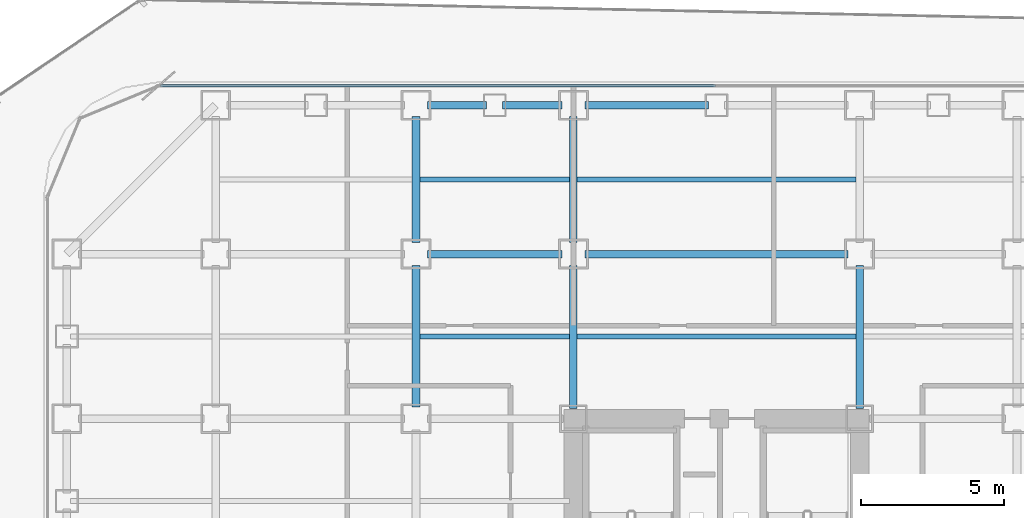
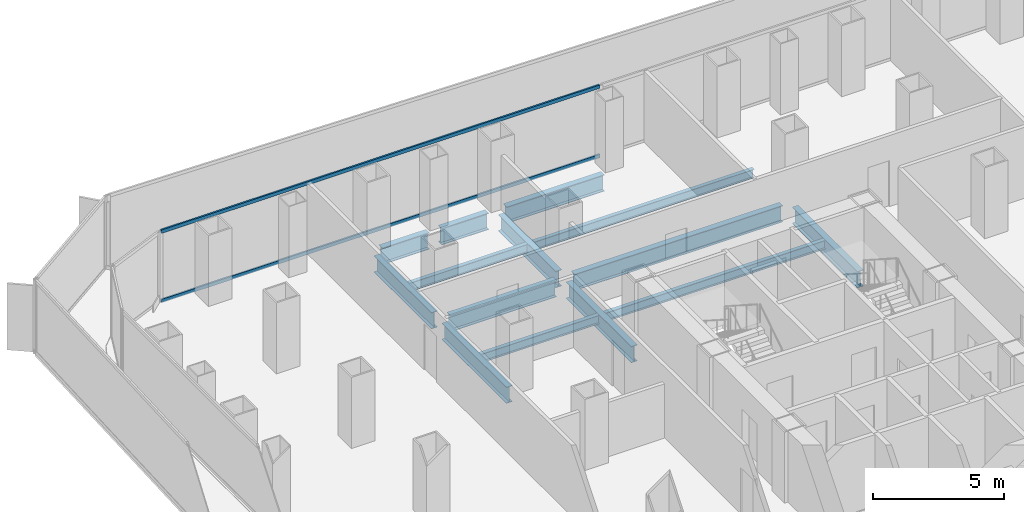
# One storey, part 12 of 21: 14 beams, 2 members, 1 element without a shape of its own.
"""IFC4 building model written with IfcOpenShell, lengths in metres."""

from ifc_helpers import new_model, si_unit, direction, frame, origin, origin_2d, place, context, subcontext, project, spatial, hollow_rectangle, i_section, extrude, source, transform, mapped, material, layer, layer_set, material_profile, profile_set, type_object, element, aggregate, save


model = new_model("IFC4")

# Units and contexts
model_context = context("Model", 3, precision=1e-05, world=origin(), true_north=direction((0.0, 1.0)))
body_context = subcontext(model_context, "Body", "Model", "MODEL_VIEW")
ifc_project = project(units=[si_unit("LENGTHUNIT", "METRE"), si_unit("AREAUNIT", "SQUARE_METRE"), si_unit("VOLUMEUNIT", "CUBIC_METRE"), si_unit("PLANEANGLEUNIT", "RADIAN"), si_unit("MASSUNIT", "GRAM", prefix="KILO")], contexts=[model_context])

# Site, building, storey
site_placement = place(None, origin())
site = spatial("IfcSite", under=ifc_project, at=site_placement, CompositionType="ELEMENT")
building_placement = place(site_placement, origin())
building = spatial("IfcBuilding", under=site, at=building_placement, Name="Kolveth Station Tower", CompositionType="ELEMENT")
storey_placement = place(building_placement, frame((0.0, 0.0, 47.699951171875)))
storey = spatial("IfcBuildingStorey", under=building, at=storey_placement, Name="L12", CompositionType="ELEMENT", Elevation=47.699951171875)

# Beams
ifc_material_1 = material(Name="Steel S355", Category="steel")
ifc_material_profile_1 = material_profile(ifc_material_1, i_section(OverallWidth=0.26904296875, OverallDepth=0.77490234375, WebThickness=0.01708984375, FlangeThickness=0.0283203125, at=origin_2d()), Name="W760x220")
ifc_profile_set_1 = profile_set([ifc_material_profile_1], Name="Steel S355")
beam_type_1 = type_object("IfcBeamType", Name="Beam_SP1", PredefinedType="SPANDREL", material=ifc_profile_set_1)
shared_shape_1 = source(origin(), body_context, "Body", "SweptSolid", [
    extrude(i_section(OverallWidth=0.26904296875, OverallDepth=0.77490234375, WebThickness=0.01708984375, FlangeThickness=0.0283203125, at=origin_2d()), origin(), (0.0, 0.0, 1.0), 2.070068359375),
])
for number, where, z_axis, x_axis, name in (
    (1, (13.39990234375, 39.699951171875, -0.66748046875), (1.0, 0.0, 0.0), (0.0, 1.0, 0.0), "L12 Perimeter Spandrel BM-L12-PN-3"),
    (2, (16.030029296875, 39.699951171875, -0.66748046875), (1.0, 0.0, 0.0), (0.0, 1.0, 0.0), "L12 Perimeter Spandrel BM-L12-PN-4"),
):
    element("IfcBeam", number, at=place(storey_placement, frame(where, z_axis=z_axis, x_axis=x_axis)), inside=storey, type_object=beam_type_1, Name=name, PredefinedType="SPANDREL", context=body_context, shape_type="MappedRepresentation", body=[
        mapped(shared_shape_1, transform((0.0, 0.0, 0.0), x_axis=(1.0, 0.0, 0.0), y_axis=(0.0, 1.0, 0.0), z_axis=(0.0, 0.0, 1.0), scale=1.0)),
    ])
shared_shape_2 = source(origin(), body_context, "Body", "SweptSolid", [
    extrude(i_section(OverallWidth=0.26904296875, OverallDepth=0.77490234375, WebThickness=0.01708984375, FlangeThickness=0.0283203125, at=origin_2d()), origin(), (0.0, 0.0, 1.0), 4.320068359375),
])
beam_1_placement = place(storey_placement, frame((18.89990234375, 39.699951171875, -0.66748046875), z_axis=(1.0, 0.0, 0.0), x_axis=(0.0, 1.0, 0.0)))
element("IfcBeam", 3, at=beam_1_placement, inside=storey, type_object=beam_type_1, Name="L12 Perimeter Spandrel BM-L12-PN-5", PredefinedType="SPANDREL", context=body_context, shape_type="MappedRepresentation", body=[
    mapped(shared_shape_2, transform((0.0, 0.0, 0.0), x_axis=(1.0, 0.0, 0.0), y_axis=(0.0, 1.0, 0.0), z_axis=(0.0, 0.0, 1.0), scale=1.0)),
])
ifc_material_profile_2 = material_profile(ifc_material_1, i_section(OverallWidth=0.26708984375, OverallDepth=0.76611328125, WebThickness=0.014892578125, FlangeThickness=0.023681640625, at=origin_2d()), Name="W760x185")
ifc_profile_set_2 = profile_set([ifc_material_profile_2], Name="Steel S355")
beam_type_2 = type_object("IfcBeamType", Name="Beam_B3", PredefinedType="BEAM", material=ifc_profile_set_2)
shared_shape_3 = source(origin(), body_context, "Body", "SweptSolid", [
    extrude(i_section(OverallWidth=0.26708984375, OverallDepth=0.76611328125, WebThickness=0.014892578125, FlangeThickness=0.023681640625, at=origin_2d()), origin(), (0.0, 0.0, 1.0), 4.400146484375),
])
for number, where, z_axis, x_axis, name in (
    (4, (13.0, 34.89990234375, -0.662841796875), (0.0, 1.0, 0.0), (-1.0, 0.0, 0.0), "L12 Primary Girder BM-L12-GX130-7"),
    (5, (18.5, 34.89990234375, -0.662841796875), (0.0, 1.0, 0.0), (-1.0, 0.0, 0.0), "L12 Primary Girder BM-L12-GX185-7"),
):
    element("IfcBeam", number, at=place(storey_placement, frame(where, z_axis=z_axis, x_axis=x_axis)), inside=storey, type_object=beam_type_2, Name=name, PredefinedType="BEAM", context=body_context, shape_type="MappedRepresentation", body=[
        mapped(shared_shape_3, transform((0.0, 0.0, 0.0), x_axis=(1.0, 0.0, 0.0), y_axis=(0.0, 1.0, 0.0), z_axis=(0.0, 0.0, 1.0), scale=1.0)),
    ])
shared_shape_4 = source(origin(), body_context, "Body", "SweptSolid", [
    extrude(i_section(OverallWidth=0.26708984375, OverallDepth=0.76611328125, WebThickness=0.014892578125, FlangeThickness=0.023681640625, at=origin_2d()), origin(), (0.0, 0.0, 1.0), 4.7001953125),
])
beam_2_placement = place(storey_placement, frame((13.39990234375, 34.5, -0.662841796875), z_axis=(1.0, 0.0, 0.0), x_axis=(0.0, 1.0, 0.0)))
element("IfcBeam", 6, at=beam_2_placement, inside=storey, type_object=beam_type_2, Name="L12 Primary Girder BM-L12-GY345-3", PredefinedType="BEAM", context=body_context, shape_type="MappedRepresentation", body=[
    mapped(shared_shape_4, transform((0.0, 0.0, 0.0), x_axis=(1.0, 0.0, 0.0), y_axis=(0.0, 1.0, 0.0), z_axis=(0.0, 0.0, 1.0), scale=1.0)),
])
shared_shape_5 = source(origin(), body_context, "Body", "SweptSolid", [
    extrude(i_section(OverallWidth=0.26708984375, OverallDepth=0.76611328125, WebThickness=0.014892578125, FlangeThickness=0.023681640625, at=origin_2d()), origin(), (0.0, 0.0, 1.0), 9.2001953125),
])
beam_3_placement = place(storey_placement, frame((18.89990234375, 34.5, -0.662841796875), z_axis=(1.0, 0.0, 0.0), x_axis=(0.0, 1.0, 0.0)))
element("IfcBeam", 7, at=beam_3_placement, inside=storey, type_object=beam_type_2, Name="L12 Primary Girder BM-L12-GY345-4", PredefinedType="BEAM", context=body_context, shape_type="MappedRepresentation", body=[
    mapped(shared_shape_5, transform((0.0, 0.0, 0.0), x_axis=(1.0, 0.0, 0.0), y_axis=(0.0, 1.0, 0.0), z_axis=(0.0, 0.0, 1.0), scale=1.0)),
])
shared_shape_6 = source(origin(), body_context, "Body", "SweptSolid", [
    extrude(i_section(OverallWidth=0.26708984375, OverallDepth=0.76611328125, WebThickness=0.014892578125, FlangeThickness=0.023681640625, at=origin_2d()), origin(), (0.0, 0.0, 1.0), 4.9501953125),
])
beam_4_placement = place(storey_placement, frame((13.0, 29.14990234375, -0.662841796875), z_axis=(0.0, 1.0, 0.0), x_axis=(-1.0, 0.0, 0.0)))
element("IfcBeam", 8, at=beam_4_placement, inside=storey, type_object=beam_type_2, Name="L12 Primary Girder BM-L12-GX130-6", PredefinedType="BEAM", context=body_context, shape_type="MappedRepresentation", body=[
    mapped(shared_shape_6, transform((0.0, 0.0, 0.0), x_axis=(1.0, 0.0, 0.0), y_axis=(0.0, 1.0, 0.0), z_axis=(0.0, 0.0, 1.0), scale=1.0)),
])
shared_shape_7 = source(origin(), body_context, "Body", "SweptSolid", [
    extrude(i_section(OverallWidth=0.26708984375, OverallDepth=0.76611328125, WebThickness=0.014892578125, FlangeThickness=0.023681640625, at=origin_2d()), origin(), (0.0, 0.0, 1.0), 4.989990234375),
])
for number, where, z_axis, x_axis, name in (
    (9, (18.5, 29.110107421875, -0.662841796875), (0.0, 1.0, 0.0), (-1.0, 0.0, 0.0), "L12 Primary Girder BM-L12-GX185-6"),
    (10, (28.5, 29.110107421875, -0.662841796875), (0.0, 1.0, 0.0), (-1.0, 0.0, 0.0), "L12 Primary Girder BM-L12-GX285-6"),
):
    element("IfcBeam", number, at=place(storey_placement, frame(where, z_axis=z_axis, x_axis=x_axis)), inside=storey, type_object=beam_type_2, Name=name, PredefinedType="BEAM", context=body_context, shape_type="MappedRepresentation", body=[
        mapped(shared_shape_7, transform((0.0, 0.0, 0.0), x_axis=(1.0, 0.0, 0.0), y_axis=(0.0, 1.0, 0.0), z_axis=(0.0, 0.0, 1.0), scale=1.0)),
    ])
ifc_material_profile_3 = material_profile(ifc_material_1, i_section(OverallWidth=0.177978515625, OverallDepth=0.406982421875, WebThickness=0.0078125, FlangeThickness=0.0126953125, at=origin_2d()), Name="W410x60")
ifc_profile_set_3 = profile_set([ifc_material_profile_3], Name="Steel S355")
beam_type_3 = type_object("IfcBeamType", Name="Beam_J1", PredefinedType="JOIST", material=ifc_profile_set_3)
shared_shape_8 = source(origin(), body_context, "Body", "SweptSolid", [
    extrude(i_section(OverallWidth=0.177978515625, OverallDepth=0.406982421875, WebThickness=0.0078125, FlangeThickness=0.0126953125, at=origin_2d()), origin(), (0.0, 0.0, 1.0), 5.23681640625),
])
for number, where, z_axis, x_axis, name in (
    (11, (13.131591796875, 31.625, -0.4833984375), (1.0, 0.0, 0.0), (0.0, 1.0, 0.0), "L12 Secondary Joist JST-L12-3-6"),
    (12, (13.131591796875, 37.10009765625, -0.4833984375), (1.0, 0.0, 0.0), (0.0, 1.0, 0.0), "L12 Secondary Joist JST-L12-3-7"),
):
    element("IfcBeam", number, at=place(storey_placement, frame(where, z_axis=z_axis, x_axis=x_axis)), inside=storey, type_object=beam_type_3, Name=name, PredefinedType="JOIST", context=body_context, shape_type="MappedRepresentation", body=[
        mapped(shared_shape_8, transform((0.0, 0.0, 0.0), x_axis=(1.0, 0.0, 0.0), y_axis=(0.0, 1.0, 0.0), z_axis=(0.0, 0.0, 1.0), scale=1.0)),
    ])
shared_shape_9 = source(origin(), body_context, "Body", "SweptSolid", [
    extrude(i_section(OverallWidth=0.177978515625, OverallDepth=0.406982421875, WebThickness=0.0078125, FlangeThickness=0.0126953125, at=origin_2d()), origin(), (0.0, 0.0, 1.0), 9.73681640625),
])
for number, where, z_axis, x_axis, name in (
    (13, (18.631591796875, 31.625, -0.4833984375), (1.0, 0.0, 0.0), (0.0, 1.0, 0.0), "L12 Secondary Joist JST-L12-4-6"),
    (14, (18.631591796875, 37.10009765625, -0.4833984375), (1.0, 0.0, 0.0), (0.0, 1.0, 0.0), "L12 Secondary Joist JST-L12-4-7"),
):
    element("IfcBeam", number, at=place(storey_placement, frame(where, z_axis=z_axis, x_axis=x_axis)), inside=storey, type_object=beam_type_3, Name=name, PredefinedType="JOIST", context=body_context, shape_type="MappedRepresentation", body=[
        mapped(shared_shape_9, transform((0.0, 0.0, 0.0), x_axis=(1.0, 0.0, 0.0), y_axis=(0.0, 1.0, 0.0), z_axis=(0.0, 0.0, 1.0), scale=1.0)),
    ])

# Curtain wall, members
ifc_material_2 = material(Name="Aluminium 6063-T6 and low-E dark glass", Category="aluminium")
ifc_layer = layer(ifc_material_2, 0.179931640625)
ifc_layer_set = layer_set([ifc_layer], Name="Aluminium 6063-T6 and low-E dark glass")
curtain_wall_type = type_object("IfcCurtainWallType", Name="CurtainWall_CW-Z1", PredefinedType="NOTDEFINED", material=ifc_layer_set)
curtain_wall_placement = place(storey_placement, origin())
curtain_wall = element("IfcCurtainWall", 15, at=curtain_wall_placement, inside=storey, type_object=curtain_wall_type, Name="L12 Inner Thermal Curtain Wall 6", PredefinedType="NOTDEFINED")
ifc_material_3 = material(Name="Black anodized aluminium 6063-T6", Category="aluminium")
ifc_material_profile_4 = material_profile(ifc_material_3, hollow_rectangle(XDim=0.074951171875, YDim=0.159912109375, WallThickness=0.0048828125, at=origin_2d()), Name="ALU-75x160x5")
ifc_profile_set_4 = profile_set([ifc_material_profile_4], Name="Black anodized aluminium 6063-T6")
member_type = type_object("IfcMemberType", Name="Transom_TR1", PredefinedType="USERDEFINED", material=ifc_profile_set_4)
shared_shape_10 = source(origin(), body_context, "Body", "SweptSolid", [
    extrude(hollow_rectangle(XDim=0.074951171875, YDim=0.159912109375, WallThickness=0.0048828125, at=origin_2d()), origin(), (0.0, 0.0, 1.0), 19.387451171875),
])
member_1_placement = place(storey_placement, frame((23.46240234375, 40.3798828125, 0.03759765625), z_axis=(-1.0, 0.0, 0.0), x_axis=(0.0, -1.0, 0.0)))
member_1 = element("IfcMember", 16, at=member_1_placement, type_object=member_type, Name="CW-Z1 transom 2.1", ObjectType="TRANSOM", PredefinedType="USERDEFINED", context=body_context, shape_type="MappedRepresentation", body=[
    mapped(shared_shape_10, transform((0.0, 0.0, 0.0), x_axis=(1.0, 0.0, 0.0), y_axis=(0.0, 1.0, 0.0), z_axis=(0.0, 0.0, 1.0), scale=1.0)),
])
member_2_placement = place(storey_placement, frame((23.46240234375, 40.3798828125, 3.282470703125), z_axis=(-1.0, 0.0, 0.0), x_axis=(0.0, -1.0, 0.0)))
member_2 = element("IfcMember", 17, at=member_2_placement, type_object=member_type, Name="CW-Z1 transom 2.2", ObjectType="TRANSOM", PredefinedType="USERDEFINED", context=body_context, shape_type="MappedRepresentation", body=[
    mapped(shared_shape_10, transform((0.0, 0.0, 0.0), x_axis=(1.0, 0.0, 0.0), y_axis=(0.0, 1.0, 0.0), z_axis=(0.0, 0.0, 1.0), scale=1.0)),
])
aggregate(curtain_wall, [member_1, member_2])

save(model, "model.ifc")
